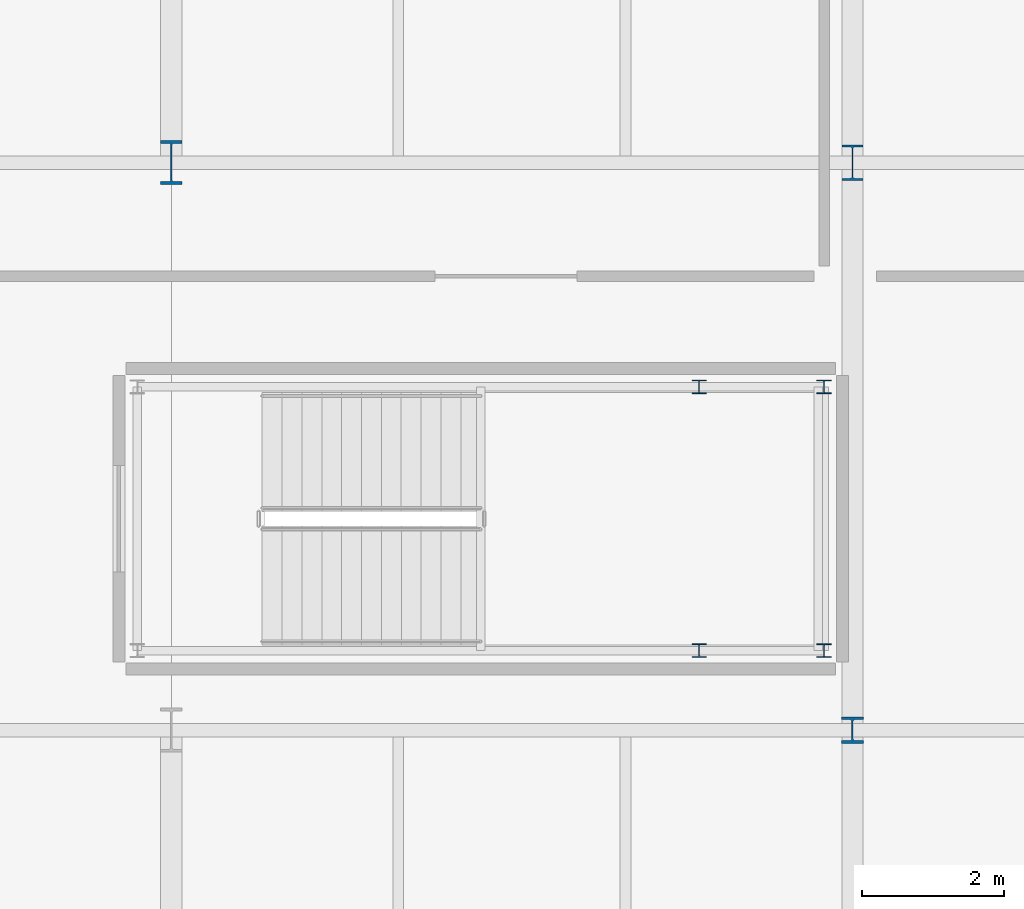
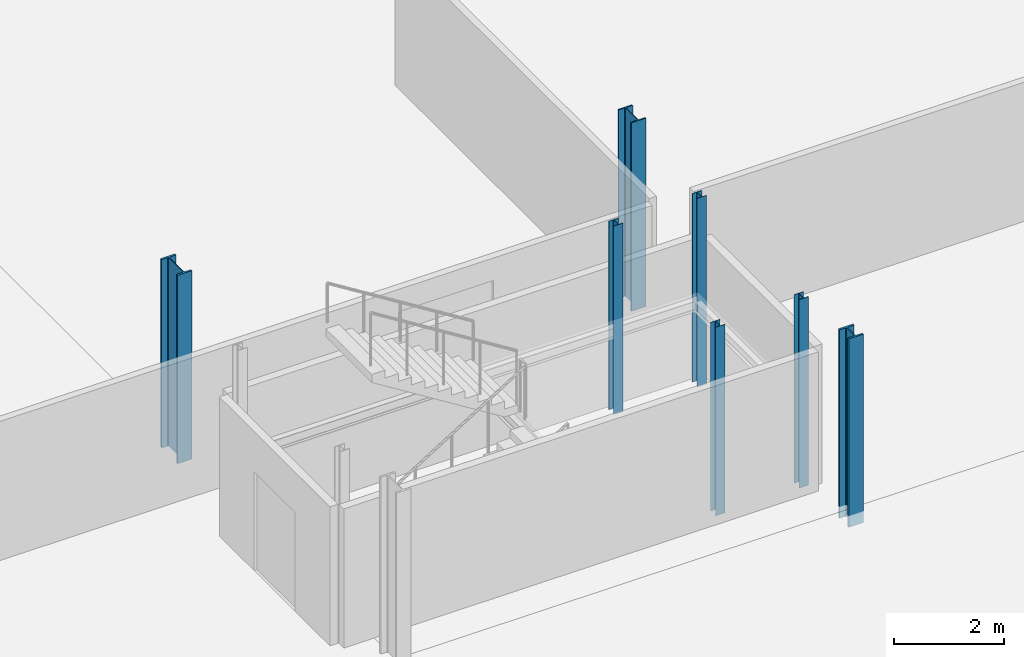
# One storey, part 14 of 78: 7 columns.
"""IFC4 building model written with IfcOpenShell, lengths in metres."""

from ifc_helpers import new_model, si_unit, direction, frame, origin, origin_2d, place, context, subcontext, project, spatial, i_section, extrude, material, material_profile, profile_set, type_object, element, save


model = new_model("IFC4")

# Units and contexts
model_context = context("Model", 3, precision=1e-05, world=origin(), true_north=direction((0.0, 1.0)))
body_context = subcontext(model_context, "Body", "Model", "MODEL_VIEW")
ifc_project = project(units=[si_unit("LENGTHUNIT", "METRE"), si_unit("AREAUNIT", "SQUARE_METRE"), si_unit("VOLUMEUNIT", "CUBIC_METRE"), si_unit("PLANEANGLEUNIT", "RADIAN"), si_unit("MASSUNIT", "GRAM", prefix="KILO")], contexts=[model_context])

# Site, building, storey
site_placement = place(None, origin())
site = spatial("IfcSite", under=ifc_project, at=site_placement, CompositionType="ELEMENT")
building_placement = place(site_placement, origin())
building = spatial("IfcBuilding", under=site, at=building_placement, Name="Alderhovde Museum", CompositionType="ELEMENT")
storey_placement = place(building_placement, frame((0.0, 0.0, 4.5)))
storey = spatial("IfcBuildingStorey", under=building, at=storey_placement, Name="L01", CompositionType="ELEMENT", Elevation=4.5)

# Columns
ifc_material_1 = material(Name="Steel S355J2", Category="steel")
ifc_material_profile_1 = material_profile(ifc_material_1, i_section(OverallWidth=0.199951171875, OverallDepth=0.18994140625, WebThickness=0.006591796875, FlangeThickness=0.010009765625, FilletRadius=0.01806640625, at=origin_2d()), Name="HEA 200")
ifc_profile_set_1 = profile_set([ifc_material_profile_1], Name="Steel S355J2")
column_type_1 = type_object("IfcColumnType", Name="COL-HEA200", PredefinedType="COLUMN", material=ifc_profile_set_1)
for number, where, z_axis, x_axis, name in (
    (1, (38.0, 81.1201171875, 0.0), (0.0, 0.0, 1.0), (1.0, 0.0, 0.0), "L01 Stair ST2 Shaft Column 2"),
    (2, (38.0, 84.840087890625, 0.0), (0.0, 0.0, 1.0), (1.0, 0.0, 0.0), "L01 Stair ST2 Shaft Column 3"),
    (3, (36.239990234375, 81.1201171875, 0.0), (0.0, 0.0, 1.0), (1.0, 0.0, 0.0), "L01 Stair ST2 Shaft Column 5"),
    (4, (36.239990234375, 84.840087890625, 0.0), (0.0, 0.0, 1.0), (1.0, 0.0, 0.0), "L01 Stair ST2 Shaft Column 6"),
):
    element("IfcColumn", number, at=place(storey_placement, frame(where, z_axis=z_axis, x_axis=x_axis)), inside=storey, type_object=column_type_1, Name=name, PredefinedType="COLUMN", context=body_context, shape_type="SweptSolid", body=[
        extrude(i_section(OverallWidth=0.199951171875, OverallDepth=0.18994140625, WebThickness=0.006591796875, FlangeThickness=0.010009765625, FilletRadius=0.01806640625, at=origin_2d()), origin(), (0.0, 0.0, 1.0), 4.199951171875),
    ])
ifc_material_2 = material(Name="Steel S355J2", Category="steel")
ifc_material_profile_2 = material_profile(ifc_material_2, i_section(OverallWidth=0.300048828125, OverallDepth=0.5, WebThickness=0.014404296875, FlangeThickness=0.028076171875, FilletRadius=0.027099609375, at=origin_2d()), Name="HEB 500")
ifc_profile_set_2 = profile_set([ifc_material_profile_2], Name="Steel S355J2")
column_type_2 = type_object("IfcColumnType", Name="COL-HEB500", PredefinedType="COLUMN", material=ifc_profile_set_2)
column_1_placement = place(storey_placement, frame((38.39990234375, 88.0, -0.260009765625), z_axis=(0.0, 0.0, 1.0), x_axis=(1.0, 0.0, 0.0)))
element("IfcColumn", 5, at=column_1_placement, inside=storey, type_object=column_type_2, Name="L01 Column (38.4, 88.0)", PredefinedType="COLUMN", context=body_context, shape_type="SweptSolid", body=[
    extrude(i_section(OverallWidth=0.300048828125, OverallDepth=0.5, WebThickness=0.014404296875, FlangeThickness=0.028076171875, FilletRadius=0.027099609375, at=origin_2d()), origin(), (0.0, 0.0, 1.0), 4.199951171875),
])
ifc_material_3 = material(Name="Steel S355J2", Category="steel")
ifc_material_profile_3 = material_profile(ifc_material_3, i_section(OverallWidth=0.30908203125, OverallDepth=0.376953125, WebThickness=0.02099609375, FlangeThickness=0.0400390625, FilletRadius=0.027099609375, at=origin_2d()), Name="HEM 340")
ifc_profile_set_3 = profile_set([ifc_material_profile_3], Name="Steel S355J2")
column_type_3 = type_object("IfcColumnType", Name="COL-HEM340", PredefinedType="COLUMN", material=ifc_profile_set_3)
column_2_placement = place(storey_placement, frame((38.39990234375, 80.0, -0.260009765625), z_axis=(0.0, 0.0, 1.0), x_axis=(1.0, 0.0, 0.0)))
element("IfcColumn", 6, at=column_2_placement, inside=storey, type_object=column_type_3, Name="L01 Column (38.4, 80.0)", PredefinedType="COLUMN", context=body_context, shape_type="SweptSolid", body=[
    extrude(i_section(OverallWidth=0.30908203125, OverallDepth=0.376953125, WebThickness=0.02099609375, FlangeThickness=0.0400390625, FilletRadius=0.027099609375, at=origin_2d()), origin(), (0.0, 0.0, 1.0), 4.199951171875),
])
ifc_material_4 = material(Name="Steel S355J2", Category="steel")
ifc_material_profile_4 = material_profile(ifc_material_4, i_section(OverallWidth=0.304931640625, OverallDepth=0.6201171875, WebThickness=0.02099609375, FlangeThickness=0.0400390625, FilletRadius=0.027099609375, at=origin_2d()), Name="HEM 600")
ifc_profile_set_4 = profile_set([ifc_material_profile_4], Name="Steel S355J2")
column_type_4 = type_object("IfcColumnType", Name="COL-HEM600", PredefinedType="COLUMN", material=ifc_profile_set_4)
column_3_placement = place(storey_placement, frame((28.800048828125, 88.0, -0.260009765625), z_axis=(0.0, 0.0, 1.0), x_axis=(1.0, 0.0, 0.0)))
element("IfcColumn", 7, at=column_3_placement, inside=storey, type_object=column_type_4, Name="L01 Column (28.8, 88.0)", PredefinedType="COLUMN", context=body_context, shape_type="SweptSolid", body=[
    extrude(i_section(OverallWidth=0.304931640625, OverallDepth=0.6201171875, WebThickness=0.02099609375, FlangeThickness=0.0400390625, FilletRadius=0.027099609375, at=origin_2d()), origin(), (0.0, 0.0, 1.0), 4.199951171875),
])

save(model, "model.ifc")
